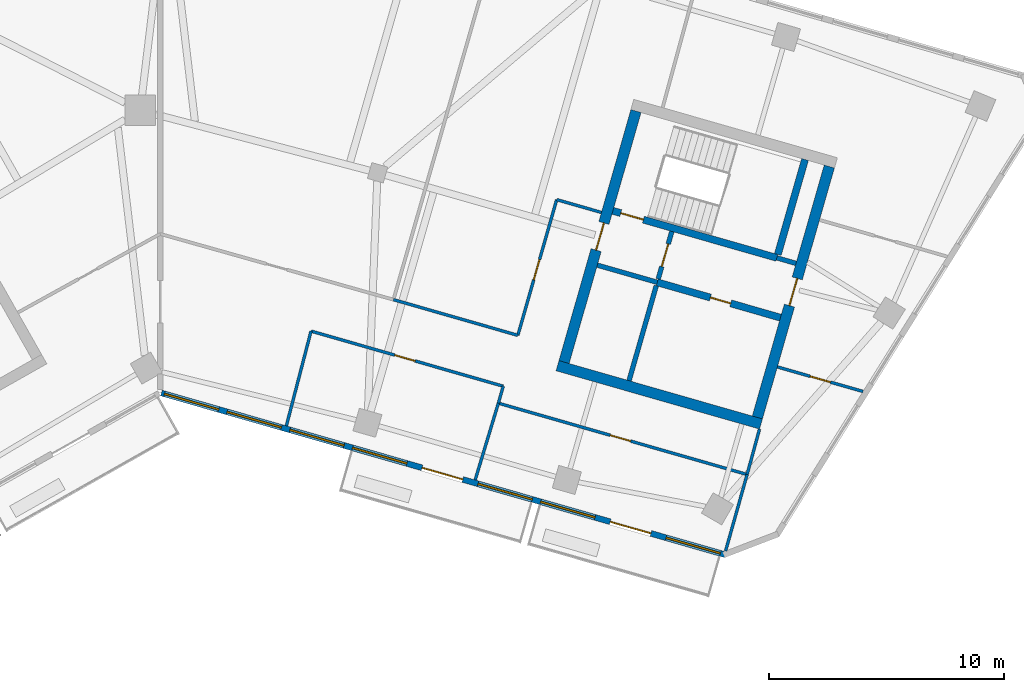
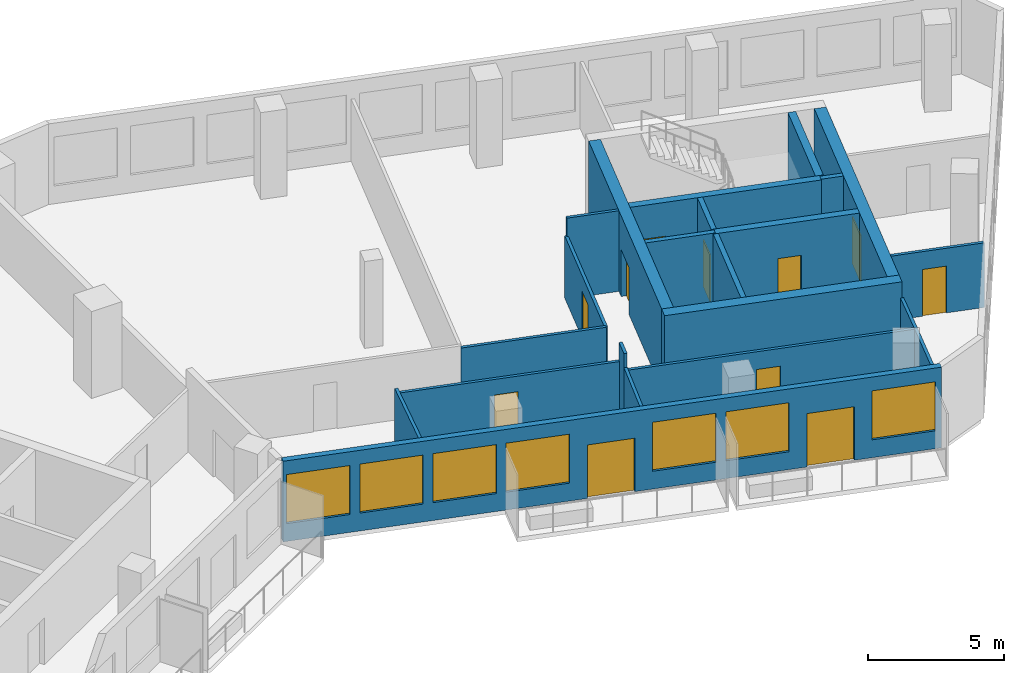
# One storey, part 7 of 12: 22 walls, 11 doors, 7 windows, 18 openings.
"""IFC4 building model written with IfcOpenShell, lengths in metres."""

from ifc_helpers import new_model, si_unit, direction, frame, frame_2d, origin, place, context, subcontext, project, spatial, rectangle, extrude, material, layer, layer_set, type_object, element, fill, save


model = new_model("IFC4")

# Units and contexts
model_context = context("Model", 3, precision=1e-05, world=origin(), true_north=direction((0.0, 1.0)))
body_context = subcontext(model_context, "Body", "Model", "MODEL_VIEW")
ifc_project = project(units=[si_unit("LENGTHUNIT", "METRE"), si_unit("AREAUNIT", "SQUARE_METRE"), si_unit("VOLUMEUNIT", "CUBIC_METRE"), si_unit("PLANEANGLEUNIT", "RADIAN"), si_unit("MASSUNIT", "GRAM", prefix="KILO")], contexts=[model_context])

# Site, building, storey
site_placement = place(None, origin())
site = spatial("IfcSite", under=ifc_project, at=site_placement, CompositionType="ELEMENT")
building_placement = place(site_placement, origin())
building = spatial("IfcBuilding", under=site, at=building_placement, Name="Binnacle Exchange Tower", CompositionType="ELEMENT")
storey_placement = place(building_placement, frame((0.0, 0.0, 211.39990234375)))
storey = spatial("IfcBuildingStorey", under=building, at=storey_placement, Name="L46", CompositionType="ELEMENT", Elevation=211.39990234375)

# Wall, opening, door
ifc_material_1 = material(Name="Concrete C70/85", Category="concrete")
ifc_layer_1 = layer(ifc_material_1, 0.300048828125)
ifc_layer_set_1 = layer_set([ifc_layer_1], Name="Core wall - front 300")
wall_type_1 = type_object("IfcWallType", Name="Core wall - front 300", PredefinedType="SOLIDWALL", material=ifc_layer_set_1)
wall_1_placement = place(storey_placement, frame((21.130859375, 52.6923828125, 0.0), z_axis=(0.0, 0.0, 1.0), x_axis=(0.961261488075, -0.275638080722, 0.0)))
wall_1 = element("IfcWall", 1, at=wall_1_placement, inside=storey, type_object=wall_type_1, Name="Core wall CRWD3", PredefinedType="SOLIDWALL", context=body_context, shape_type="SweptSolid", body=[
    extrude(rectangle(XDim=5.449951171875, YDim=0.300048828125, at=frame_2d((2.72509765625, 0.0))), origin(), (0.0, 0.0, 1.0), 3.6201171875),
])
opening_1_placement = place(wall_1_placement, frame((2.35009765625, 0.0, 0.0)))
opening_1 = element("IfcOpeningElement", 2, at=opening_1_placement, cuts=wall_1, Name="Opening DD10", PredefinedType="OPENING", context=body_context, shape_type="SweptSolid", body=[
    extrude(rectangle(XDim=0.89990234375, YDim=2.10009765625, at=frame_2d((0.449951171875, 1.050048828125))), frame((0.0, 0.159912109375, 0.0), z_axis=(0.0, -1.0, 0.0), x_axis=(1.0, 0.0, 0.0)), (0.0, 0.0, 1.0), 0.320068359375),
])
ifc_material_2 = material(Name="Steel door leaf", Category="steel")
door_type_1 = type_object("IfcDoorType", Name="Fire door 900", OperationType="NOTDEFINED", PredefinedType="DOOR", material=ifc_material_2)
door_1_placement = place(opening_1_placement, frame((0.89990234375, 0.0, 0.0), z_axis=(0.0, 0.0, 1.0), x_axis=(-1.0, 0.0, 0.0)))
door_1 = element("IfcDoor", 3, at=door_1_placement, inside=storey, type_object=door_type_1, Name="Core room door PANTRY", OperationType="SINGLE_SWING_LEFT", OverallHeight=2.10009765625, OverallWidth=0.89990234375, PredefinedType="DOOR", context=body_context, shape_type="SweptSolid", body=[
    extrude(rectangle(XDim=0.89990234375, YDim=2.10009765625, at=frame_2d((0.449951171875, 1.050048828125))), frame((0.0, 0.02490234375, 0.0), z_axis=(0.0, -1.0, 0.0), x_axis=(1.0, 0.0, 0.0)), (0.0, 0.0, 1.0), 0.050048828125),
])
fill(opening_1, door_1)

# Wall
ifc_layer_2 = layer(ifc_material_1, 0.449951171875)
ifc_layer_set_2 = layer_set([ifc_layer_2], Name="Core wall - outer 450")
wall_type_2 = type_object("IfcWallType", Name="Core wall - outer 450", PredefinedType="SOLIDWALL", material=ifc_layer_set_2)
wall_2_placement = place(storey_placement, frame((16.889892578125, 49.149169921875, 0.0), z_axis=(0.0, 0.0, 1.0), x_axis=(0.96126248289, -0.275634611374, 0.0)))
element("IfcWall", 4, at=wall_2_placement, inside=storey, type_object=wall_type_2, Name="Core wall CRWD1", PredefinedType="SOLIDWALL", context=body_context, shape_type="SweptSolid", body=[
    extrude(rectangle(XDim=9.0, YDim=0.449951171875, at=frame_2d((4.5, 0.0))), origin(), (0.0, 0.0, 1.0), 3.6201171875),
])

# Wall, opening, door
wall_3_placement = place(storey_placement, frame((17.168212890625, 49.303466796875, 0.0), z_axis=(0.0, 0.0, 1.0), x_axis=(0.275638974822, 0.961261231695, 0.0)))
wall_3 = element("IfcWall", 5, at=wall_3_placement, inside=storey, type_object=wall_type_2, Name="Core wall CRWD7", PredefinedType="SOLIDWALL", context=body_context, shape_type="SweptSolid", body=[
    extrude(rectangle(XDim=11.099853515625, YDim=0.449951171875, at=frame_2d((5.5498046875, 0.0))), origin(), (0.0, 0.0, 1.0), 3.6201171875),
])
opening_2_placement = place(wall_3_placement, frame((4.9501953125, 0.0, 0.0)))
opening_2 = element("IfcOpeningElement", 6, at=opening_2_placement, cuts=wall_3, Name="Opening DD5", PredefinedType="OPENING", context=body_context, shape_type="SweptSolid", body=[
    extrude(rectangle(XDim=1.199951171875, YDim=2.10009765625, at=frame_2d((0.60009765625, 1.050048828125))), frame((0.0, 0.23486328125, 0.0), z_axis=(0.0, -1.0, 0.0), x_axis=(1.0, 0.0, 0.0)), (0.0, 0.0, 1.0), 0.469970703125),
])
door_type_2 = type_object("IfcDoorType", Name="Fire door 1200", OperationType="NOTDEFINED", PredefinedType="DOOR", material=ifc_material_2)
door_2_placement = place(opening_2_placement, origin())
door_2 = element("IfcDoor", 7, at=door_2_placement, inside=storey, type_object=door_type_2, Name="Vestibule exit door VEST-W", OperationType="SINGLE_SWING_RIGHT", OverallHeight=2.10009765625, OverallWidth=1.199951171875, PredefinedType="DOOR", context=body_context, shape_type="SweptSolid", body=[
    extrude(rectangle(XDim=1.199951171875, YDim=2.10009765625, at=frame_2d((0.60009765625, 1.050048828125))), frame((0.0, 0.02490234375, 0.0), z_axis=(0.0, -1.0, 0.0), x_axis=(1.0, 0.0, 0.0)), (0.0, 0.0, 1.0), 0.050048828125),
])
fill(opening_2, door_2)

wall_4_placement = place(storey_placement, frame((25.386962890625, 46.94677734375, 0.0), z_axis=(0.0, 0.0, 1.0), x_axis=(0.275638974822, 0.961261231695, 0.0)))
wall_4 = element("IfcWall", 8, at=wall_4_placement, inside=storey, type_object=wall_type_2, Name="Core wall CRWD12", PredefinedType="SOLIDWALL", context=body_context, shape_type="SweptSolid", body=[
    extrude(rectangle(XDim=11.099853515625, YDim=0.449951171875, at=frame_2d((5.5498046875, 0.0))), origin(), (0.0, 0.0, 1.0), 3.6201171875),
])
opening_3_placement = place(wall_4_placement, frame((4.949951171875, 0.0, 0.0)))
opening_3 = element("IfcOpeningElement", 9, at=opening_3_placement, cuts=wall_4, Name="Opening DD6", PredefinedType="OPENING", context=body_context, shape_type="SweptSolid", body=[
    extrude(rectangle(XDim=1.199951171875, YDim=2.10009765625, at=frame_2d((0.60009765625, 1.050048828125))), frame((0.0, 0.23486328125, 0.0), z_axis=(0.0, -1.0, 0.0), x_axis=(1.0, 0.0, 0.0)), (0.0, 0.0, 1.0), 0.469970703125),
])
door_3_placement = place(opening_3_placement, frame((1.199951171875, 0.0, 0.0), z_axis=(0.0, 0.0, 1.0), x_axis=(-1.0, 0.0, 0.0)))
door_3 = element("IfcDoor", 10, at=door_3_placement, inside=storey, type_object=door_type_2, Name="Core passage exit door", OperationType="SINGLE_SWING_RIGHT", OverallHeight=2.10009765625, OverallWidth=1.199951171875, PredefinedType="DOOR", context=body_context, shape_type="SweptSolid", body=[
    extrude(rectangle(XDim=1.199951171875, YDim=2.10009765625, at=frame_2d((0.60009765625, 1.050048828125))), frame((0.0, 0.02490234375, 0.0), z_axis=(0.0, -1.0, 0.0), x_axis=(1.0, 0.0, 0.0)), (0.0, 0.0, 1.0), 0.050048828125),
])
fill(opening_3, door_3)

ifc_layer_3 = layer(ifc_material_1, 0.300048828125)
ifc_layer_set_3 = layer_set([ifc_layer_3], Name="Core wall - stair 300")
wall_type_3 = type_object("IfcWallType", Name="Core wall - stair 300", PredefinedType="SOLIDWALL", material=ifc_layer_set_3)
wall_5_placement = place(storey_placement, frame((19.2451171875, 55.72998046875, 0.0), z_axis=(0.0, 0.0, 1.0), x_axis=(0.961263007877, -0.275632780503, 0.0)))
wall_5 = element("IfcWall", 11, at=wall_5_placement, inside=storey, type_object=wall_type_3, Name="Core wall CRWD4", PredefinedType="SOLIDWALL", context=body_context, shape_type="SweptSolid", body=[
    extrude(rectangle(XDim=7.249755859375, YDim=0.300048828125, at=frame_2d((3.625, 0.0))), origin(), (0.0, 0.0, 1.0), 3.6201171875),
])
opening_4_placement = place(wall_5_placement, frame((0.35009765625, 0.0, 0.0)))
opening_4 = element("IfcOpeningElement", 12, at=opening_4_placement, cuts=wall_5, Name="Opening DD1", PredefinedType="OPENING", context=body_context, shape_type="SweptSolid", body=[
    extrude(rectangle(XDim=1.0, YDim=2.10009765625, at=frame_2d((0.5, 1.050048828125))), frame((0.0, 0.159912109375, 0.0), z_axis=(0.0, -1.0, 0.0), x_axis=(1.0, 0.0, 0.0)), (0.0, 0.0, 1.0), 0.320068359375),
])
door_type_3 = type_object("IfcDoorType", Name="Fire door 1000", OperationType="NOTDEFINED", PredefinedType="DOOR", material=ifc_material_2)
door_4_placement = place(opening_4_placement, origin())
door_4 = element("IfcDoor", 13, at=door_4_placement, inside=storey, type_object=door_type_3, Name="Stair door ST-D1", OperationType="SINGLE_SWING_LEFT", OverallHeight=2.10009765625, OverallWidth=1.0, PredefinedType="DOOR", context=body_context, shape_type="SweptSolid", body=[
    extrude(rectangle(XDim=1.0, YDim=2.10009765625, at=frame_2d((0.5, 1.050048828125))), frame((0.0, 0.02490234375, 0.0), z_axis=(0.0, -1.0, 0.0), x_axis=(1.0, 0.0, 0.0)), (0.0, 0.0, 1.0), 0.050048828125),
])
fill(opening_4, door_4)

# Wall
wall_6_placement = place(storey_placement, frame((26.255615234375, 53.875732421875, 0.0), z_axis=(0.0, 0.0, 1.0), x_axis=(0.275588560745, 0.96127568636, 0.0)))
element("IfcWall", 14, at=wall_6_placement, inside=storey, type_object=wall_type_3, Name="Core wall CRWD11", PredefinedType="SOLIDWALL", context=body_context, shape_type="SweptSolid", body=[
    extrude(rectangle(XDim=4.199951171875, YDim=0.300048828125, at=frame_2d((2.10009765625, 0.0))), origin(), (0.0, 0.0, 1.0), 3.6201171875),
])

# Wall, openings, doors, windows
ifc_material_3 = material(Name="Bronze aluminium cladding", Category="aluminium")
ifc_layer_4 = layer(ifc_material_3, 0.25)
ifc_layer_set_4 = layer_set([ifc_layer_4], Name="External wall - window wall 250")
wall_type_4 = type_object("IfcWallType", Name="External wall - window wall 250", PredefinedType="STANDARD", material=ifc_layer_set_4)
wall_7_placement = place(storey_placement, frame((24.034423828125, 41.108154296875, 0.0), z_axis=(0.0, 0.0, 1.0), x_axis=(-0.96126060691, 0.275641153683, 0.0)))
wall_7 = element("IfcWall", 15, at=wall_7_placement, inside=storey, type_object=wall_type_4, Name="External wall EW-G02 L46", PredefinedType="STANDARD", context=body_context, shape_type="SweptSolid", body=[
    extrude(rectangle(XDim=24.95068359375, YDim=0.25, at=frame_2d((12.475341796875, 0.0))), origin(), (0.0, 0.0, 1.0), 3.6201171875),
])
opening_5_placement = place(wall_7_placement, frame((22.416259765625, 0.0, 0.800048828125)))
opening_5 = element("IfcOpeningElement", 16, at=opening_5_placement, cuts=wall_7, Name="Opening WR1", PredefinedType="OPENING", context=body_context, shape_type="SweptSolid", body=[
    extrude(rectangle(XDim=2.39990234375, YDim=2.199951171875, at=frame_2d((1.199951171875, 1.10009765625))), frame((0.0, 0.135009765625, 0.0), z_axis=(0.0, -1.0, 0.0), x_axis=(1.0, 0.0, 0.0)), (0.0, 0.0, 1.0), 0.27001953125),
])
opening_6_placement = place(wall_7_placement, frame((19.642822265625, 0.0, 0.800048828125)))
opening_6 = element("IfcOpeningElement", 17, at=opening_6_placement, cuts=wall_7, Name="Opening WR1", PredefinedType="OPENING", context=body_context, shape_type="SweptSolid", body=[
    extrude(rectangle(XDim=2.39990234375, YDim=2.199951171875, at=frame_2d((1.199951171875, 1.10009765625))), frame((0.0, 0.135009765625, 0.0), z_axis=(0.0, -1.0, 0.0), x_axis=(1.0, 0.0, 0.0)), (0.0, 0.0, 1.0), 0.27001953125),
])
opening_7_placement = place(wall_7_placement, frame((16.869384765625, 0.0, 0.800048828125)))
opening_7 = element("IfcOpeningElement", 18, at=opening_7_placement, cuts=wall_7, Name="Opening WR1", PredefinedType="OPENING", context=body_context, shape_type="SweptSolid", body=[
    extrude(rectangle(XDim=2.39990234375, YDim=2.199951171875, at=frame_2d((1.199951171875, 1.10009765625))), frame((0.0, 0.135009765625, 0.0), z_axis=(0.0, -1.0, 0.0), x_axis=(1.0, 0.0, 0.0)), (0.0, 0.0, 1.0), 0.27001953125),
])
opening_8_placement = place(wall_7_placement, frame((14.095947265625, 0.0, 0.800048828125)))
opening_8 = element("IfcOpeningElement", 19, at=opening_8_placement, cuts=wall_7, Name="Opening WR1", PredefinedType="OPENING", context=body_context, shape_type="SweptSolid", body=[
    extrude(rectangle(XDim=2.39990234375, YDim=2.199951171875, at=frame_2d((1.199951171875, 1.10009765625))), frame((0.0, 0.135009765625, 0.0), z_axis=(0.0, -1.0, 0.0), x_axis=(1.0, 0.0, 0.0)), (0.0, 0.0, 1.0), 0.27001953125),
])
opening_9_placement = place(wall_7_placement, frame((11.622314453125, 0.0, 0.0)))
opening_9 = element("IfcOpeningElement", 20, at=opening_9_placement, cuts=wall_7, Name="Opening D-FS13-06", PredefinedType="OPENING", context=body_context, shape_type="SweptSolid", body=[
    extrude(rectangle(XDim=1.800048828125, YDim=2.39990234375, at=frame_2d((0.89990234375, 1.199951171875))), frame((0.0, 0.135009765625, 0.0), z_axis=(0.0, -1.0, 0.0), x_axis=(1.0, 0.0, 0.0)), (0.0, 0.0, 1.0), 0.27001953125),
])
opening_10_placement = place(wall_7_placement, frame((8.548828125, 0.0, 0.800048828125)))
opening_10 = element("IfcOpeningElement", 21, at=opening_10_placement, cuts=wall_7, Name="Opening WR1", PredefinedType="OPENING", context=body_context, shape_type="SweptSolid", body=[
    extrude(rectangle(XDim=2.39990234375, YDim=2.199951171875, at=frame_2d((1.199951171875, 1.10009765625))), frame((0.0, 0.135009765625, 0.0), z_axis=(0.0, -1.0, 0.0), x_axis=(1.0, 0.0, 0.0)), (0.0, 0.0, 1.0), 0.27001953125),
])
opening_11_placement = place(wall_7_placement, frame((5.775390625, 0.0, 0.800048828125)))
opening_11 = element("IfcOpeningElement", 22, at=opening_11_placement, cuts=wall_7, Name="Opening WR1", PredefinedType="OPENING", context=body_context, shape_type="SweptSolid", body=[
    extrude(rectangle(XDim=2.39990234375, YDim=2.199951171875, at=frame_2d((1.199951171875, 1.10009765625))), frame((0.0, 0.135009765625, 0.0), z_axis=(0.0, -1.0, 0.0), x_axis=(1.0, 0.0, 0.0)), (0.0, 0.0, 1.0), 0.27001953125),
])
opening_12_placement = place(wall_7_placement, frame((3.302001953125, 0.0, 0.0)))
opening_12 = element("IfcOpeningElement", 23, at=opening_12_placement, cuts=wall_7, Name="Opening D-FS13-07", PredefinedType="OPENING", context=body_context, shape_type="SweptSolid", body=[
    extrude(rectangle(XDim=1.800048828125, YDim=2.39990234375, at=frame_2d((0.89990234375, 1.199951171875))), frame((0.0, 0.135009765625, 0.0), z_axis=(0.0, -1.0, 0.0), x_axis=(1.0, 0.0, 0.0)), (0.0, 0.0, 1.0), 0.27001953125),
])
opening_13_placement = place(wall_7_placement, frame((0.228515625, 0.0, 0.800048828125)))
opening_13 = element("IfcOpeningElement", 24, at=opening_13_placement, cuts=wall_7, Name="Opening WR1", PredefinedType="OPENING", context=body_context, shape_type="SweptSolid", body=[
    extrude(rectangle(XDim=2.39990234375, YDim=2.199951171875, at=frame_2d((1.199951171875, 1.10009765625))), frame((0.0, 0.135009765625, 0.0), z_axis=(0.0, -1.0, 0.0), x_axis=(1.0, 0.0, 0.0)), (0.0, 0.0, 1.0), 0.27001953125),
])
ifc_material_4 = material(Name="Bronze anodised aluminium frame", Category="aluminium")
door_type_4 = type_object("IfcDoorType", Name="DB DOOR 1800x2400", OperationType="DOUBLE_DOOR_SINGLE_SWING", PredefinedType="DOOR", material=ifc_material_4)
door_5_placement = place(opening_9_placement, origin())
door_5 = element("IfcDoor", 25, at=door_5_placement, inside=storey, type_object=door_type_4, Name="Door D-FS13-06 L46", OperationType="DOUBLE_DOOR_SINGLE_SWING", OverallHeight=2.39990234375, OverallWidth=1.800048828125, PredefinedType="DOOR", context=body_context, shape_type="SweptSolid", body=[
    extrude(rectangle(XDim=1.800048828125, YDim=2.39990234375, at=frame_2d((0.89990234375, 1.199951171875))), frame((0.0, 0.02490234375, 0.0), z_axis=(0.0, -1.0, 0.0), x_axis=(1.0, 0.0, 0.0)), (0.0, 0.0, 1.0), 0.050048828125),
])
fill(opening_9, door_5)
door_6_placement = place(opening_12_placement, origin())
door_6 = element("IfcDoor", 26, at=door_6_placement, inside=storey, type_object=door_type_4, Name="Door D-FS13-07 L46", OperationType="DOUBLE_DOOR_SINGLE_SWING", OverallHeight=2.39990234375, OverallWidth=1.800048828125, PredefinedType="DOOR", context=body_context, shape_type="SweptSolid", body=[
    extrude(rectangle(XDim=1.800048828125, YDim=2.39990234375, at=frame_2d((0.89990234375, 1.199951171875))), frame((0.0, 0.02490234375, 0.0), z_axis=(0.0, -1.0, 0.0), x_axis=(1.0, 0.0, 0.0)), (0.0, 0.0, 1.0), 0.050048828125),
])
fill(opening_12, door_6)
window_type = type_object("IfcWindowType", Name="WR1 WINDOW 2400x2200", PartitioningType="SINGLE_PANEL", PredefinedType="WINDOW", material=ifc_material_4)
window_1_placement = place(opening_5_placement, origin())
window_1 = element("IfcWindow", 27, at=window_1_placement, inside=storey, type_object=window_type, Name="Window WR1 L46", OverallHeight=2.199951171875, OverallWidth=2.39990234375, PartitioningType="SINGLE_PANEL", PredefinedType="WINDOW", context=body_context, shape_type="SweptSolid", body=[
    extrude(rectangle(XDim=2.39990234375, YDim=2.199951171875, at=frame_2d((1.199951171875, 1.10009765625))), frame((0.0, 0.030029296875, 0.0), z_axis=(0.0, -1.0, 0.0), x_axis=(1.0, 0.0, 0.0)), (0.0, 0.0, 1.0), 0.06005859375),
])
fill(opening_5, window_1)
window_2_placement = place(opening_6_placement, origin())
window_2 = element("IfcWindow", 28, at=window_2_placement, inside=storey, type_object=window_type, Name="Window WR1 L46", OverallHeight=2.199951171875, OverallWidth=2.39990234375, PartitioningType="SINGLE_PANEL", PredefinedType="WINDOW", context=body_context, shape_type="SweptSolid", body=[
    extrude(rectangle(XDim=2.39990234375, YDim=2.199951171875, at=frame_2d((1.199951171875, 1.10009765625))), frame((0.0, 0.030029296875, 0.0), z_axis=(0.0, -1.0, 0.0), x_axis=(1.0, 0.0, 0.0)), (0.0, 0.0, 1.0), 0.06005859375),
])
fill(opening_6, window_2)
window_3_placement = place(opening_7_placement, origin())
window_3 = element("IfcWindow", 29, at=window_3_placement, inside=storey, type_object=window_type, Name="Window WR1 L46", OverallHeight=2.199951171875, OverallWidth=2.39990234375, PartitioningType="SINGLE_PANEL", PredefinedType="WINDOW", context=body_context, shape_type="SweptSolid", body=[
    extrude(rectangle(XDim=2.39990234375, YDim=2.199951171875, at=frame_2d((1.199951171875, 1.10009765625))), frame((0.0, 0.030029296875, 0.0), z_axis=(0.0, -1.0, 0.0), x_axis=(1.0, 0.0, 0.0)), (0.0, 0.0, 1.0), 0.06005859375),
])
fill(opening_7, window_3)
window_4_placement = place(opening_8_placement, origin())
window_4 = element("IfcWindow", 30, at=window_4_placement, inside=storey, type_object=window_type, Name="Window WR1 L46", OverallHeight=2.199951171875, OverallWidth=2.39990234375, PartitioningType="SINGLE_PANEL", PredefinedType="WINDOW", context=body_context, shape_type="SweptSolid", body=[
    extrude(rectangle(XDim=2.39990234375, YDim=2.199951171875, at=frame_2d((1.199951171875, 1.10009765625))), frame((0.0, 0.030029296875, 0.0), z_axis=(0.0, -1.0, 0.0), x_axis=(1.0, 0.0, 0.0)), (0.0, 0.0, 1.0), 0.06005859375),
])
fill(opening_8, window_4)
window_5_placement = place(opening_10_placement, origin())
window_5 = element("IfcWindow", 31, at=window_5_placement, inside=storey, type_object=window_type, Name="Window WR1 L46", OverallHeight=2.199951171875, OverallWidth=2.39990234375, PartitioningType="SINGLE_PANEL", PredefinedType="WINDOW", context=body_context, shape_type="SweptSolid", body=[
    extrude(rectangle(XDim=2.39990234375, YDim=2.199951171875, at=frame_2d((1.199951171875, 1.10009765625))), frame((0.0, 0.030029296875, 0.0), z_axis=(0.0, -1.0, 0.0), x_axis=(1.0, 0.0, 0.0)), (0.0, 0.0, 1.0), 0.06005859375),
])
fill(opening_10, window_5)
window_6_placement = place(opening_11_placement, origin())
window_6 = element("IfcWindow", 32, at=window_6_placement, inside=storey, type_object=window_type, Name="Window WR1 L46", OverallHeight=2.199951171875, OverallWidth=2.39990234375, PartitioningType="SINGLE_PANEL", PredefinedType="WINDOW", context=body_context, shape_type="SweptSolid", body=[
    extrude(rectangle(XDim=2.39990234375, YDim=2.199951171875, at=frame_2d((1.199951171875, 1.10009765625))), frame((0.0, 0.030029296875, 0.0), z_axis=(0.0, -1.0, 0.0), x_axis=(1.0, 0.0, 0.0)), (0.0, 0.0, 1.0), 0.06005859375),
])
fill(opening_11, window_6)
window_7_placement = place(opening_13_placement, origin())
window_7 = element("IfcWindow", 33, at=window_7_placement, inside=storey, type_object=window_type, Name="Window WR1 L46", OverallHeight=2.199951171875, OverallWidth=2.39990234375, PartitioningType="SINGLE_PANEL", PredefinedType="WINDOW", context=body_context, shape_type="SweptSolid", body=[
    extrude(rectangle(XDim=2.39990234375, YDim=2.199951171875, at=frame_2d((1.199951171875, 1.10009765625))), frame((0.0, 0.030029296875, 0.0), z_axis=(0.0, -1.0, 0.0), x_axis=(1.0, 0.0, 0.0)), (0.0, 0.0, 1.0), 0.06005859375),
])
fill(opening_13, window_7)

# Wall, opening, door
ifc_material_5 = material(Name="Masonry block wall", Category="masonry")
ifc_layer_5 = layer(ifc_material_5, 0.199951171875)
ifc_layer_set_5 = layer_set([ifc_layer_5], Name="Fire wall - vestibule 200")
wall_type_5 = type_object("IfcWallType", Name="Fire wall - vestibule 200", PredefinedType="PARTITIONING", material=ifc_layer_set_5)
wall_8_placement = place(storey_placement, frame((21.172119140625, 52.836669921875, 0.0), z_axis=(0.0, 0.0, 1.0), x_axis=(0.275657676022, 0.961255868981, 0.0)))
wall_8 = element("IfcWall", 34, at=wall_8_placement, inside=storey, type_object=wall_type_5, Name="Core wall CRWD9", PredefinedType="PARTITIONING", context=body_context, shape_type="SweptSolid", body=[
    extrude(rectangle(XDim=2.099853515625, YDim=0.199951171875, at=frame_2d((1.0498046875, 0.0))), origin(), (0.0, 0.0, 1.0), 3.6201171875),
])
opening_14_placement = place(wall_8_placement, frame((0.550048828125, 0.0, 0.0)))
opening_14 = element("IfcOpeningElement", 35, at=opening_14_placement, cuts=wall_8, Name="Opening DD3", PredefinedType="OPENING", context=body_context, shape_type="SweptSolid", body=[
    extrude(rectangle(XDim=1.0, YDim=2.10009765625, at=frame_2d((0.5, 1.050048828125))), frame((0.0, 0.10986328125, 0.0), z_axis=(0.0, -1.0, 0.0), x_axis=(1.0, 0.0, 0.0)), (0.0, 0.0, 1.0), 0.219970703125),
])
door_7_placement = place(opening_14_placement, origin())
door_7 = element("IfcDoor", 36, at=door_7_placement, inside=storey, type_object=door_type_3, Name="Vestibule door VEST-W", OperationType="SINGLE_SWING_RIGHT", OverallHeight=2.10009765625, OverallWidth=1.0, PredefinedType="DOOR", context=body_context, shape_type="SweptSolid", body=[
    extrude(rectangle(XDim=1.0, YDim=2.10009765625, at=frame_2d((0.5, 1.050048828125))), frame((0.0, 0.02490234375, 0.0), z_axis=(0.0, -1.0, 0.0), x_axis=(1.0, 0.0, 0.0)), (0.0, 0.0, 1.0), 0.050048828125),
])
fill(opening_14, door_7)

# Wall
ifc_material_6 = material(Name="Gypsum partition")
ifc_layer_6 = layer(ifc_material_6, 0.125)
ifc_layer_set_6 = layer_set([ifc_layer_6], Name="Partition 125")
wall_type_6 = type_object("IfcWallType", Name="Partition 125", PredefinedType="PARTITIONING", material=ifc_layer_set_6)
wall_9_placement = place(storey_placement, frame((5.364013671875, 46.592041015625, 0.0), z_axis=(0.0, 0.0, 1.0), x_axis=(0.25210423577, 0.967700084895, 0.0)))
element("IfcWall", 37, at=wall_9_placement, inside=storey, type_object=wall_type_6, Name="Partition W22", PredefinedType="PARTITIONING", context=body_context, shape_type="SweptSolid", body=[
    extrude(rectangle(XDim=4.161376953125, YDim=0.125, at=frame_2d((2.08056640625, 0.0))), origin(), (0.0, 0.0, 1.0), 2.988037109375),
])

# Wall, opening, door
wall_10_placement = place(storey_placement, frame((6.4130859375, 50.618896484375, 0.0), z_axis=(0.0, 0.0, 1.0), x_axis=(0.961251402136, -0.275673252041, 0.0)))
wall_10 = element("IfcWall", 38, at=wall_10_placement, inside=storey, type_object=wall_type_6, Name="Partition W23", PredefinedType="PARTITIONING", context=body_context, shape_type="SweptSolid", body=[
    extrude(rectangle(XDim=8.499267578125, YDim=0.125, at=frame_2d((4.24951171875, 0.0))), origin(), (0.0, 0.0, 1.0), 2.800048828125),
])
opening_15_placement = place(wall_10_placement, frame((3.699951171875, 0.0, 0.0)))
opening_15 = element("IfcOpeningElement", 39, at=opening_15_placement, cuts=wall_10, Name="Opening DL45-10", PredefinedType="OPENING", context=body_context, shape_type="SweptSolid", body=[
    extrude(rectangle(XDim=0.89990234375, YDim=2.10009765625, at=frame_2d((0.449951171875, 1.050048828125))), frame((0.0, 0.072509765625, 0.0), z_axis=(0.0, -1.0, 0.0), x_axis=(1.0, 0.0, 0.0)), (0.0, 0.0, 1.0), 0.14501953125),
])
ifc_material_7 = material(Name="Timber door leaf", Category="wood")
door_type_5 = type_object("IfcDoorType", Name="Door 900", OperationType="NOTDEFINED", PredefinedType="DOOR", material=ifc_material_7)
door_8_placement = place(opening_15_placement, frame((0.89990234375, 0.0, 0.0), z_axis=(0.0, 0.0, 1.0), x_axis=(-1.0, 0.0, 0.0)))
door_8 = element("IfcDoor", 40, at=door_8_placement, inside=storey, type_object=door_type_5, Name="Door DL45-10", OperationType="SINGLE_SWING_RIGHT", OverallHeight=2.10009765625, OverallWidth=0.89990234375, PredefinedType="DOOR", context=body_context, shape_type="SweptSolid", body=[
    extrude(rectangle(XDim=0.89990234375, YDim=2.10009765625, at=frame_2d((0.449951171875, 1.050048828125))), frame((0.0, 0.02490234375, 0.0), z_axis=(0.0, -1.0, 0.0), x_axis=(1.0, 0.0, 0.0)), (0.0, 0.0, 1.0), 0.050048828125),
])
fill(opening_15, door_8)

# Walls
wall_11_placement = place(storey_placement, frame((9.9169921875, 51.955078125, 0.0), z_axis=(0.0, 0.0, 1.0), x_axis=(0.961258850611, -0.275647278458, 0.0)))
element("IfcWall", 41, at=wall_11_placement, inside=storey, type_object=wall_type_6, Name="Partition W25", PredefinedType="PARTITIONING", context=body_context, shape_type="SweptSolid", body=[
    extrude(rectangle(XDim=5.500244140625, YDim=0.125, at=frame_2d((2.75, 0.0))), origin(), (0.0, 0.0, 1.0), 2.800048828125),
])
wall_12_placement = place(storey_placement, frame((13.389892578125, 44.2900390625, 0.0), z_axis=(0.0, 0.0, 1.0), x_axis=(0.289389501276, 0.957211427299, 0.0)))
element("IfcWall", 42, at=wall_12_placement, inside=storey, type_object=wall_type_6, Name="Partition W26", PredefinedType="PARTITIONING", context=body_context, shape_type="SweptSolid", body=[
    extrude(rectangle(XDim=3.410888671875, YDim=0.125, at=frame_2d((1.70556640625, 0.0))), origin(), (0.0, 0.0, 1.0), 2.994140625),
])
wall_13_placement = place(storey_placement, frame((14.376953125, 47.554931640625, 0.0), z_axis=(0.0, 0.0, 1.0), x_axis=(0.274807134575, 0.961499370144, 0.0)))
element("IfcWall", 43, at=wall_13_placement, inside=storey, type_object=wall_type_6, Name="Partition W27", PredefinedType="PARTITIONING", context=body_context, shape_type="SweptSolid", body=[
    extrude(rectangle(XDim=0.749755859375, YDim=0.125, at=frame_2d((0.375, 0.0))), origin(), (0.0, 0.0, 1.0), 3.6201171875),
])

# Wall, opening, door
wall_14_placement = place(storey_placement, frame((14.376953125, 47.554931640625, 0.0), z_axis=(0.0, 0.0, 1.0), x_axis=(0.961263044958, -0.275632651182, 0.0)))
wall_14 = element("IfcWall", 44, at=wall_14_placement, inside=storey, type_object=wall_type_6, Name="Partition W28", PredefinedType="PARTITIONING", context=body_context, shape_type="SweptSolid", body=[
    extrude(rectangle(XDim=11.0, YDim=0.125, at=frame_2d((5.5, 0.0))), origin(), (0.0, 0.0, 1.0), 2.900146484375),
])
opening_16_placement = place(wall_14_placement, frame((4.949951171875, 0.0, 0.0)))
opening_16 = element("IfcOpeningElement", 45, at=opening_16_placement, cuts=wall_14, Name="Opening DL45-11", PredefinedType="OPENING", context=body_context, shape_type="SweptSolid", body=[
    extrude(rectangle(XDim=0.89990234375, YDim=2.10009765625, at=frame_2d((0.449951171875, 1.050048828125))), frame((0.0, 0.072509765625, 0.0), z_axis=(0.0, -1.0, 0.0), x_axis=(1.0, 0.0, 0.0)), (0.0, 0.0, 1.0), 0.14501953125),
])
door_9_placement = place(opening_16_placement, frame((0.89990234375, 0.0, 0.0), z_axis=(0.0, 0.0, 1.0), x_axis=(-1.0, 0.0, 0.0)))
door_9 = element("IfcDoor", 46, at=door_9_placement, inside=storey, type_object=door_type_5, Name="Door DL45-11", OperationType="SINGLE_SWING_RIGHT", OverallHeight=2.10009765625, OverallWidth=0.89990234375, PredefinedType="DOOR", context=body_context, shape_type="SweptSolid", body=[
    extrude(rectangle(XDim=0.89990234375, YDim=2.10009765625, at=frame_2d((0.449951171875, 1.050048828125))), frame((0.0, 0.02490234375, 0.0), z_axis=(0.0, -1.0, 0.0), x_axis=(1.0, 0.0, 0.0)), (0.0, 0.0, 1.0), 0.050048828125),
])
fill(opening_16, door_9)

wall_15_placement = place(storey_placement, frame((15.2041015625, 50.43896484375, 0.0), z_axis=(0.0, 0.0, 1.0), x_axis=(0.275505760599, 0.961299420512, 0.0)))
wall_15 = element("IfcWall", 47, at=wall_15_placement, inside=storey, type_object=wall_type_6, Name="Partition W29", PredefinedType="PARTITIONING", context=body_context, shape_type="SweptSolid", body=[
    extrude(rectangle(XDim=5.999267578125, YDim=0.125, at=frame_2d((2.99951171875, 0.0))), origin(), (0.0, 0.0, 1.0), 2.800048828125),
])
opening_17_placement = place(wall_15_placement, frame((2.449951171875, 0.0, 0.0)))
opening_17 = element("IfcOpeningElement", 48, at=opening_17_placement, cuts=wall_15, Name="Opening DL45-09", PredefinedType="OPENING", context=body_context, shape_type="SweptSolid", body=[
    extrude(rectangle(XDim=0.89990234375, YDim=2.10009765625, at=frame_2d((0.449951171875, 1.050048828125))), frame((0.0, 0.072509765625, 0.0), z_axis=(0.0, -1.0, 0.0), x_axis=(1.0, 0.0, 0.0)), (0.0, 0.0, 1.0), 0.14501953125),
])
door_10_placement = place(opening_17_placement, origin())
door_10 = element("IfcDoor", 49, at=door_10_placement, inside=storey, type_object=door_type_5, Name="Door DL45-09", OperationType="SINGLE_SWING_LEFT", OverallHeight=2.10009765625, OverallWidth=0.89990234375, PredefinedType="DOOR", context=body_context, shape_type="SweptSolid", body=[
    extrude(rectangle(XDim=0.89990234375, YDim=2.10009765625, at=frame_2d((0.449951171875, 1.050048828125))), frame((0.0, 0.02490234375, 0.0), z_axis=(0.0, -1.0, 0.0), x_axis=(1.0, 0.0, 0.0)), (0.0, 0.0, 1.0), 0.050048828125),
])
fill(opening_17, door_10)

# Walls
wall_16_placement = place(storey_placement, frame((16.85693359375, 56.2060546875, 0.0), z_axis=(0.0, 0.0, 1.0), x_axis=(0.961383985066, -0.275210525341, 0.0)))
element("IfcWall", 50, at=wall_16_placement, inside=storey, type_object=wall_type_6, Name="Partition W30", PredefinedType="PARTITIONING", context=body_context, shape_type="SweptSolid", body=[
    extrude(rectangle(XDim=1.9765625, YDim=0.125, at=frame_2d((0.98828125, 0.0))), origin(), (0.0, 0.0, 1.0), 3.6201171875),
])
wall_17_placement = place(storey_placement, frame((24.035888671875, 41.27001953125, 0.0), z_axis=(0.0, 0.0, 1.0), x_axis=(0.270787421954, 0.962639170256, 0.0)))
element("IfcWall", 51, at=wall_17_placement, inside=storey, type_object=wall_type_6, Name="Partition W32", PredefinedType="PARTITIONING", context=body_context, shape_type="SweptSolid", body=[
    extrude(rectangle(XDim=3.379150390625, YDim=0.125, at=frame_2d((1.689453125, 0.0))), origin(), (0.0, 0.0, 1.0), 2.900146484375),
])
wall_18_placement = place(storey_placement, frame((24.950927734375, 44.52294921875, 0.0), z_axis=(0.0, 0.0, 1.0), x_axis=(0.264046927145, 0.964509834198, 0.0)))
element("IfcWall", 52, at=wall_18_placement, inside=storey, type_object=wall_type_6, Name="Partition W33", PredefinedType="PARTITIONING", context=body_context, shape_type="SweptSolid", body=[
    extrude(rectangle(XDim=2.0, YDim=0.125, at=frame_2d((1.0, 0.0))), origin(), (0.0, 0.0, 1.0), 2.900146484375),
])

# Wall, opening, door
wall_19_placement = place(storey_placement, frame((26.237060546875, 49.095947265625, 0.0), z_axis=(0.0, 0.0, 1.0), x_axis=(0.961285271066, -0.275555126304, 0.0)))
wall_19 = element("IfcWall", 53, at=wall_19_placement, inside=storey, type_object=wall_type_6, Name="Partition W34", PredefinedType="PARTITIONING", context=body_context, shape_type="SweptSolid", body=[
    extrude(rectangle(XDim=3.78857421875, YDim=0.125, at=frame_2d((1.894287109375, 0.0))), origin(), (0.0, 0.0, 1.0), 2.900146484375),
])
opening_18_placement = place(wall_19_placement, frame((1.449951171875, 0.0, 0.0)))
opening_18 = element("IfcOpeningElement", 54, at=opening_18_placement, cuts=wall_19, Name="Opening DL45-13", PredefinedType="OPENING", context=body_context, shape_type="SweptSolid", body=[
    extrude(rectangle(XDim=0.89990234375, YDim=2.10009765625, at=frame_2d((0.449951171875, 1.050048828125))), frame((0.0, 0.072509765625, 0.0), z_axis=(0.0, -1.0, 0.0), x_axis=(1.0, 0.0, 0.0)), (0.0, 0.0, 1.0), 0.14501953125),
])
door_11_placement = place(opening_18_placement, frame((0.89990234375, 0.0, 0.0), z_axis=(0.0, 0.0, 1.0), x_axis=(-1.0, 0.0, 0.0)))
door_11 = element("IfcDoor", 55, at=door_11_placement, inside=storey, type_object=door_type_5, Name="Door DL45-13", OperationType="SINGLE_SWING_LEFT", OverallHeight=2.10009765625, OverallWidth=0.89990234375, PredefinedType="DOOR", context=body_context, shape_type="SweptSolid", body=[
    extrude(rectangle(XDim=0.89990234375, YDim=2.10009765625, at=frame_2d((0.449951171875, 1.050048828125))), frame((0.0, 0.02490234375, 0.0), z_axis=(0.0, -1.0, 0.0), x_axis=(1.0, 0.0, 0.0)), (0.0, 0.0, 1.0), 0.050048828125),
])
fill(opening_18, door_11)

# Walls
ifc_layer_7 = layer(ifc_material_5, 0.199951171875)
ifc_layer_set_7 = layer_set([ifc_layer_7], Name="Riser wall 200")
wall_type_7 = type_object("IfcWallType", Name="Riser wall 200", PredefinedType="SOLIDWALL", material=ifc_layer_set_7)
wall_20_placement = place(storey_placement, frame((18.58349609375, 53.4228515625, 0.0), z_axis=(0.0, 0.0, 1.0), x_axis=(0.961259287968, -0.275645753268, 0.0)))
element("IfcWall", 56, at=wall_20_placement, inside=storey, type_object=wall_type_7, Name="Core wall CRWD2", PredefinedType="SOLIDWALL", context=body_context, shape_type="SweptSolid", body=[
    extrude(rectangle(XDim=2.650146484375, YDim=0.199951171875, at=frame_2d((1.3251953125, 0.0))), origin(), (0.0, 0.0, 1.0), 3.6201171875),
])
wall_21_placement = place(storey_placement, frame((26.214111328125, 53.731689453125, 0.0), z_axis=(0.0, 0.0, 1.0), x_axis=(0.961241665642, -0.275707200184, 0.0)))
element("IfcWall", 57, at=wall_21_placement, inside=storey, type_object=wall_type_7, Name="Core wall CRWD5", PredefinedType="SOLIDWALL", context=body_context, shape_type="SweptSolid", body=[
    extrude(rectangle(XDim=0.85009765625, YDim=0.199951171875, at=frame_2d((0.425048828125, 0.0))), origin(), (0.0, 0.0, 1.0), 3.6201171875),
])
wall_22_placement = place(storey_placement, frame((19.931884765625, 48.510986328125, 0.0), z_axis=(0.0, 0.0, 1.0), x_axis=(0.275642273411, 0.961260285827, 0.0)))
element("IfcWall", 58, at=wall_22_placement, inside=storey, type_object=wall_type_7, Name="Core wall CRWD8", PredefinedType="SOLIDWALL", context=body_context, shape_type="SweptSolid", body=[
    extrude(rectangle(XDim=4.199951171875, YDim=0.199951171875, at=frame_2d((2.10009765625, 0.0))), origin(), (0.0, 0.0, 1.0), 3.6201171875),
])

save(model, "model.ifc")
